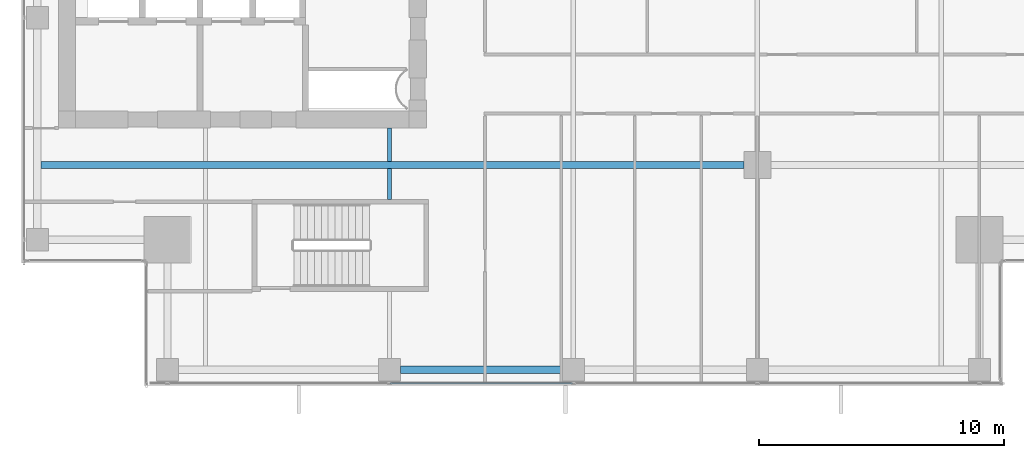
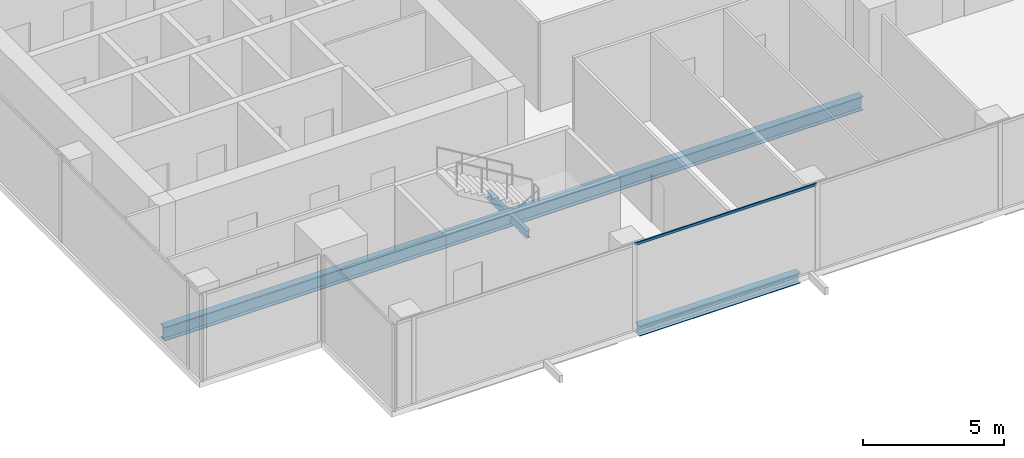
# One storey, part 5 of 36: 4 beams, 1 member, 1 element without a shape of its own.
"""IFC4 building model written with IfcOpenShell, lengths in metres."""

from ifc_helpers import new_model, si_unit, direction, frame, origin, origin_2d, place, context, subcontext, project, spatial, hollow_rectangle, i_section, extrude, source, transform, mapped, material, material_profile, profile_set, type_object, element, aggregate, save


model = new_model("IFC4")

# Units and contexts
model_context = context("Model", 3, precision=1e-05, world=origin(), true_north=direction((0.0, 1.0)))
body_context = subcontext(model_context, "Body", "Model", "MODEL_VIEW")
ifc_project = project(units=[si_unit("LENGTHUNIT", "METRE"), si_unit("AREAUNIT", "SQUARE_METRE"), si_unit("VOLUMEUNIT", "CUBIC_METRE"), si_unit("PLANEANGLEUNIT", "RADIAN"), si_unit("MASSUNIT", "GRAM", prefix="KILO")], contexts=[model_context])

# Site, building, storey
site_placement = place(None, origin())
site = spatial("IfcSite", under=ifc_project, at=site_placement, CompositionType="ELEMENT")
building_placement = place(site_placement, origin())
building = spatial("IfcBuilding", under=site, at=building_placement, Name="Khomas Fold Tower", CompositionType="ELEMENT")
storey_placement = place(building_placement, frame((0.0, 0.0, 226.199951171875)))
storey = spatial("IfcBuildingStorey", under=building, at=storey_placement, Name="L50", CompositionType="ELEMENT", Elevation=226.199951171875)

# Beams
ifc_material_1 = material(Name="Steel S355", Category="steel")
ifc_material_profile_1 = material_profile(ifc_material_1, i_section(OverallWidth=0.159912109375, OverallDepth=0.330078125, WebThickness=0.007568359375, FlangeThickness=0.011474609375, at=origin_2d()), Name="IPE 330")
ifc_profile_set_1 = profile_set([ifc_material_profile_1], Name="Steel S355")
beam_type_1 = type_object("IfcBeamType", Name="IPE 330 beam JB1", PredefinedType="BEAM", material=ifc_profile_set_1)
shared_shape_1 = source(origin(), body_context, "Body", "SweptSolid", [
    extrude(i_section(OverallWidth=0.159912109375, OverallDepth=0.330078125, WebThickness=0.007568359375, FlangeThickness=0.011474609375, at=origin_2d()), origin(), (0.0, 0.0, 1.0), 1.25),
])
beam_1_placement = place(storey_placement, frame((19.5, 12.10009765625, -0.4150390625), z_axis=(0.0, 1.0, 0.0), x_axis=(-1.0, 0.0, 0.0)))
element("IfcBeam", 1, at=beam_1_placement, inside=storey, type_object=beam_type_1, Name="JB1", PredefinedType="BEAM", context=body_context, shape_type="MappedRepresentation", body=[
    mapped(shared_shape_1, transform((0.0, 0.0, 0.0))),
])
shared_shape_2 = source(origin(), body_context, "Body", "SweptSolid", [
    extrude(i_section(OverallWidth=0.159912109375, OverallDepth=0.330078125, WebThickness=0.007568359375, FlangeThickness=0.011474609375, at=origin_2d()), origin(), (0.0, 0.0, 1.0), 1.35009765625),
])
beam_2_placement = place(storey_placement, frame((19.5, 13.64990234375, -0.4150390625), z_axis=(0.0, 1.0, 0.0), x_axis=(-1.0, 0.0, 0.0)))
element("IfcBeam", 2, at=beam_2_placement, inside=storey, type_object=beam_type_1, Name="JB1", PredefinedType="BEAM", context=body_context, shape_type="MappedRepresentation", body=[
    mapped(shared_shape_2, transform((0.0, 0.0, 0.0))),
])
ifc_material_2 = material(Name="Steel S355", Category="steel")
ifc_material_profile_2 = material_profile(ifc_material_2, i_section(OverallWidth=0.300048828125, OverallDepth=0.449951171875, WebThickness=0.013916015625, FlangeThickness=0.02587890625, at=origin_2d()), Name="HE 450 B")
ifc_profile_set_2 = profile_set([ifc_material_profile_2], Name="Steel S355")
beam_type_2 = type_object("IfcBeamType", Name="HE 450 B spandrel SB4", PredefinedType="SPANDREL", material=ifc_profile_set_2)
shared_shape_3 = source(origin(), body_context, "Body", "SweptSolid", [
    extrude(i_section(OverallWidth=0.300048828125, OverallDepth=0.449951171875, WebThickness=0.013916015625, FlangeThickness=0.02587890625, at=origin_2d()), origin(), (0.0, 0.0, 1.0), 6.60009765625),
])
beam_3_placement = place(storey_placement, frame((19.949951171875, 5.14990234375, -0.474853515625), z_axis=(1.0, 0.0, 0.0), x_axis=(0.0, 1.0, 0.0)))
element("IfcBeam", 3, at=beam_3_placement, inside=storey, type_object=beam_type_2, Name="SB4", PredefinedType="SPANDREL", context=body_context, shape_type="MappedRepresentation", body=[
    mapped(shared_shape_3, transform((0.0, 0.0, 0.0))),
])
ifc_material_3 = material(Name="Steel S355", Category="steel")
ifc_material_profile_3 = material_profile(ifc_material_3, i_section(OverallWidth=0.300048828125, OverallDepth=0.60009765625, WebThickness=0.015380859375, FlangeThickness=0.030029296875, at=origin_2d()), Name="HE 600 B")
ifc_profile_set_3 = profile_set([ifc_material_profile_3], Name="Steel S355")
beam_type_3 = type_object("IfcBeamType", Name="HE 600 B beam GB5", PredefinedType="BEAM", material=ifc_profile_set_3)
shared_shape_4 = source(origin(), body_context, "Body", "SweptSolid", [
    extrude(i_section(OverallWidth=0.300048828125, OverallDepth=0.60009765625, WebThickness=0.015380859375, FlangeThickness=0.030029296875, at=origin_2d()), origin(), (0.0, 0.0, 1.0), 28.64990234375),
])
beam_4_placement = place(storey_placement, frame((5.300048828125, 13.5, -0.550048828125), z_axis=(1.0, 0.0, 0.0), x_axis=(0.0, 1.0, 0.0)))
element("IfcBeam", 4, at=beam_4_placement, inside=storey, type_object=beam_type_3, Name="GB5", PredefinedType="BEAM", context=body_context, shape_type="MappedRepresentation", body=[
    mapped(shared_shape_4, transform((0.0, 0.0, 0.0))),
])

# Curtain wall, member
ifc_material_4 = material(Name="Aluminium framed double glazing", Category="aluminium")
curtain_wall_type = type_object("IfcCurtainWallType", Name="SK-Unitised clear-glass wall, office floors CW2", PredefinedType="NOTDEFINED", material=ifc_material_4)
curtain_wall_placement = place(storey_placement, origin())
curtain_wall = element("IfcCurtainWall", 5, at=curtain_wall_placement, inside=storey, type_object=curtain_wall_type, Name="CW2 run L50 00-0", PredefinedType="NOTDEFINED")
ifc_material_5 = material(Name="Aluminium", Category="aluminium")
ifc_material_profile_4 = material_profile(ifc_material_5, hollow_rectangle(XDim=0.050048828125, YDim=0.110107421875, WallThickness=0.00390625, at=origin_2d()), Name="SK-Unitised clear-glass wall, office floors transom CW2-T")
ifc_profile_set_4 = profile_set([ifc_material_profile_4], Name="Aluminium")
member_type = type_object("IfcMemberType", Name="SK-Unitised clear-glass wall, office floors transom CW2-T", PredefinedType="USERDEFINED", material=ifc_profile_set_4)
shared_shape_5 = source(origin(), body_context, "Body", "SweptSolid", [
    extrude(hollow_rectangle(XDim=0.050048828125, YDim=0.110107421875, WallThickness=0.00390625, at=origin_2d()), origin(), (0.0, 0.0, 1.0), 7.43994140625),
])
member_placement = place(storey_placement, frame((19.530029296875, 4.60009765625, 3.695068359375), z_axis=(1.0, 0.0, 0.0), x_axis=(0.0, 1.0, 0.0)))
member = element("IfcMember", 6, at=member_placement, type_object=member_type, Name="CW2 transom 3", ObjectType="TRANSOM", PredefinedType="USERDEFINED", context=body_context, shape_type="MappedRepresentation", body=[
    mapped(shared_shape_5, transform((0.0, 0.0, 0.0))),
])
aggregate(curtain_wall, [member])

save(model, "model.ifc")
